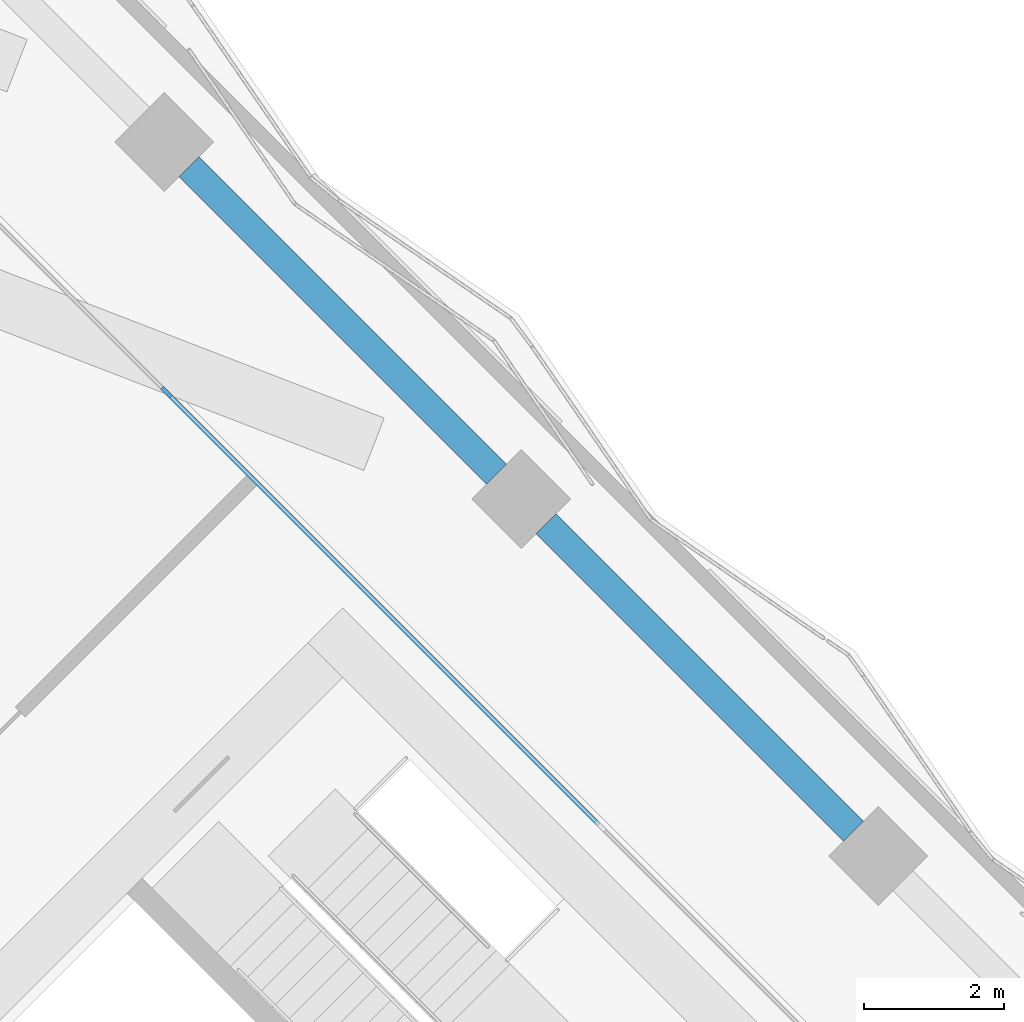
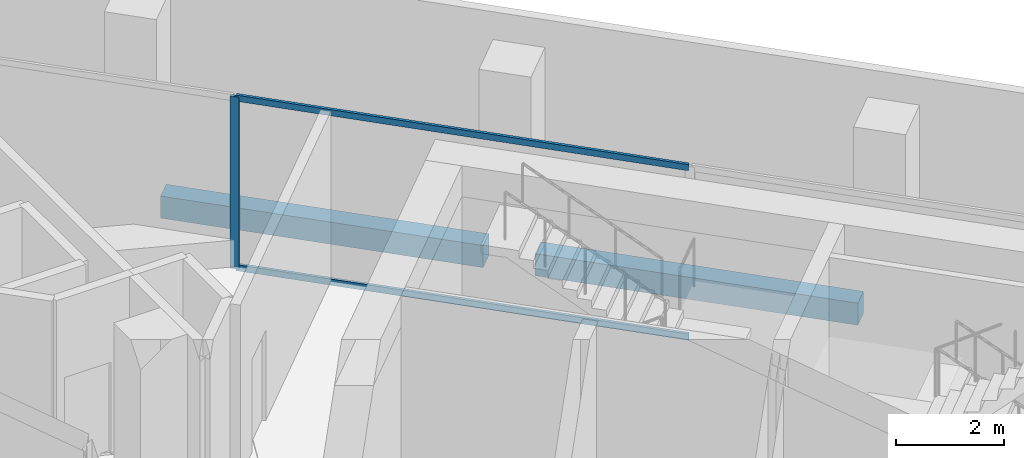
# One storey, part 8 of 23: 3 members, 2 beams, 1 element without a shape of its own.
"""IFC4 building model written with IfcOpenShell, lengths in metres."""

from ifc_helpers import new_model, si_unit, direction, frame, origin, origin_2d, place, context, subcontext, project, spatial, rectangle, extrude, material, material_profile, profile_set, type_object, element, aggregate, save


model = new_model("IFC4")

# Units and contexts
model_context = context("Model", 3, precision=1e-05, world=origin(), true_north=direction((0.0, 1.0)))
body_context = subcontext(model_context, "Body", "Model", "MODEL_VIEW")
ifc_project = project(units=[si_unit("LENGTHUNIT", "METRE"), si_unit("AREAUNIT", "SQUARE_METRE"), si_unit("VOLUMEUNIT", "CUBIC_METRE"), si_unit("PLANEANGLEUNIT", "RADIAN"), si_unit("MASSUNIT", "GRAM", prefix="KILO")], contexts=[model_context])

# Site, building, storey
site_placement = place(None, origin())
site = spatial("IfcSite", under=ifc_project, at=site_placement, CompositionType="ELEMENT")
building_placement = place(site_placement, origin())
building = spatial("IfcBuilding", under=site, at=building_placement, Name="Windrow Commons", CompositionType="ELEMENT")
storey_placement = place(building_placement, frame((0.0, 0.0, 122.0)))
storey = spatial("IfcBuildingStorey", under=building, at=storey_placement, Name="L33", CompositionType="ELEMENT", Elevation=122.0)

# Curtain wall, members
ifc_material_1 = material(Name="Clear laminated glass in Aluminium 6063-T6 anodised frame", Category="aluminium")
curtain_wall_type = type_object("IfcCurtainWallType", Name="Curtain wall CW2M sky lounge mid", PredefinedType="USERDEFINED", material=ifc_material_1)
curtain_wall_placement = place(storey_placement, origin())
curtain_wall = element("IfcCurtainWall", 1, at=curtain_wall_placement, inside=storey, type_object=curtain_wall_type, Name="Curtain wall CW2M L33 3", ObjectType="UNITISED", PredefinedType="USERDEFINED")
ifc_material_2 = material(Name="Aluminium 6063-T6", Category="aluminium")
ifc_material_profile_1 = material_profile(ifc_material_2, rectangle(XDim=0.06, YDim=0.18, at=origin_2d()))
ifc_profile_set_1 = profile_set([ifc_material_profile_1], Name="Aluminium 6063-T6")
member_type_1 = type_object("IfcMemberType", Name="CW2M mullion 60x180", PredefinedType="MULLION", material=ifc_profile_set_1)
member_1_placement = place(storey_placement, frame((84.3234, 63.3411, 0.0), z_axis=(0.0, 0.0, 1.0), x_axis=(-0.7071067812, -0.7071067812, 0.0)))
member_1 = element("IfcMember", 2, at=member_1_placement, type_object=member_type_1, Name="CW2M mullion 4", PredefinedType="MULLION", context=body_context, shape_type="SweptSolid", body=[
    extrude(rectangle(XDim=0.06, YDim=0.18, at=origin_2d()), origin(), (0.0, 0.0, 1.0), 3.9),
])
ifc_material_3 = material(Name="Aluminium 6063-T6", Category="aluminium")
ifc_material_profile_2 = material_profile(ifc_material_3, rectangle(XDim=0.06, YDim=0.14, at=origin_2d()))
ifc_profile_set_2 = profile_set([ifc_material_profile_2], Name="Aluminium 6063-T6")
member_type_2 = type_object("IfcMemberType", Name="CW2M transom 60x140", PredefinedType="USERDEFINED", material=ifc_profile_set_2)
member_2_placement = place(storey_placement, frame((90.4904, 57.1741, 0.03), z_axis=(-0.7071067812, 0.7071067812, 0.0), x_axis=(-0.7071067812, -0.7071067812, 0.0)))
member_2 = element("IfcMember", 3, at=member_2_placement, type_object=member_type_2, Name="CW2M transom 3.1", ObjectType="TRANSOM", PredefinedType="USERDEFINED", context=body_context, shape_type="SweptSolid", body=[
    extrude(rectangle(XDim=0.06, YDim=0.14, at=origin_2d()), origin(), (0.0, 0.0, 1.0), 8.6915),
])
member_3_placement = place(storey_placement, frame((90.4904, 57.1741, 3.87), z_axis=(-0.7071067812, 0.7071067812, 0.0), x_axis=(-0.7071067812, -0.7071067812, 0.0)))
member_3 = element("IfcMember", 4, at=member_3_placement, type_object=member_type_2, Name="CW2M transom 3.2", ObjectType="TRANSOM", PredefinedType="USERDEFINED", context=body_context, shape_type="SweptSolid", body=[
    extrude(rectangle(XDim=0.06, YDim=0.14, at=origin_2d()), origin(), (0.0, 0.0, 1.0), 8.6915),
])
aggregate(curtain_wall, [member_1, member_2, member_3])

# Beams
ifc_material_4 = material(Name="Concrete C50/60", Category="concrete")
ifc_material_profile_3 = material_profile(ifc_material_4, rectangle(XDim=0.4, YDim=0.5, at=origin_2d()))
ifc_profile_set_3 = profile_set([ifc_material_profile_3], Name="Concrete C50/60")
beam_type = type_object("IfcBeamType", Name="RC EDGE BEAM 400x500 C50/60", PredefinedType="SPANDREL", material=ifc_profile_set_3)
beam_1_placement = place(storey_placement, frame((84.6448, 66.5552, -0.55), z_axis=(0.7071067812, -0.7071067812, 0.0), x_axis=(0.7071067812, 0.7071067812, 0.0)))
element("IfcBeam", 5, at=beam_1_placement, inside=storey, type_object=beam_type, Name="Edge beam L33 014", PredefinedType="SPANDREL", context=body_context, shape_type="SweptSolid", body=[
    extrude(rectangle(XDim=0.4, YDim=0.5, at=origin_2d()), origin(), (0.0, 0.0, 1.0), 6.1998),
])
beam_2_placement = place(storey_placement, frame((89.7359, 61.4641, -0.55), z_axis=(0.7071067812, -0.7071067812, 0.0), x_axis=(0.7071067812, 0.7071067812, 0.0)))
element("IfcBeam", 6, at=beam_2_placement, inside=storey, type_object=beam_type, Name="Edge beam L33 015", PredefinedType="SPANDREL", context=body_context, shape_type="SweptSolid", body=[
    extrude(rectangle(XDim=0.4, YDim=0.5, at=origin_2d()), origin(), (0.0, 0.0, 1.0), 6.1999),
])

save(model, "model.ifc")
